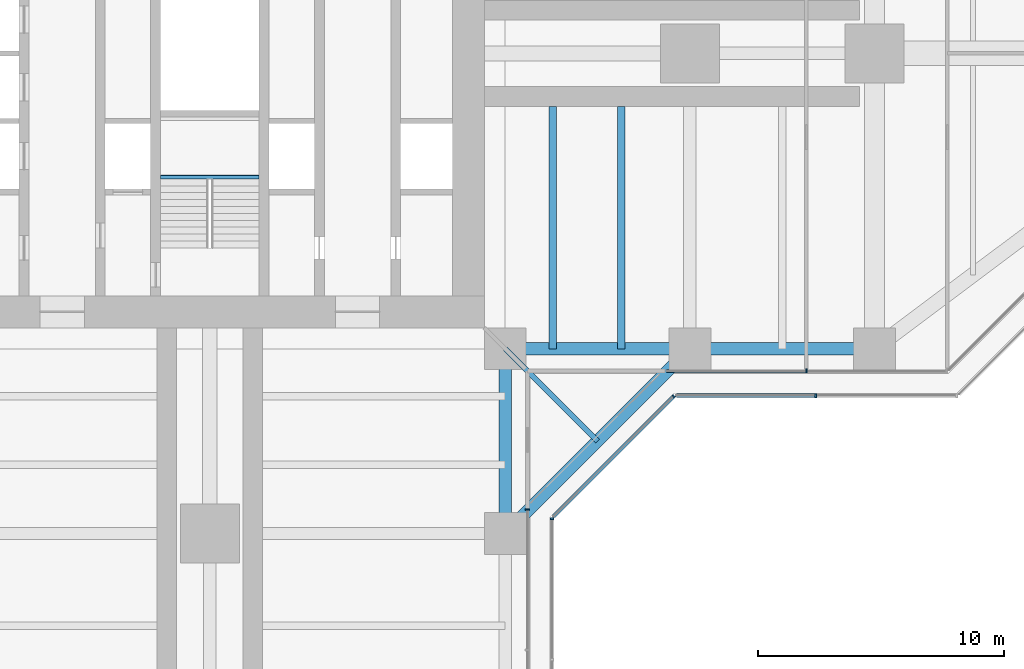
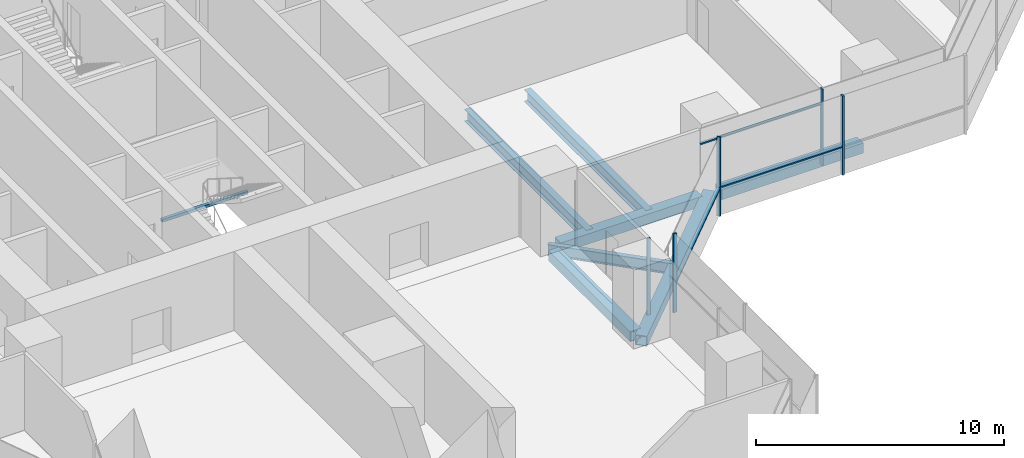
# One storey, part 6 of 22: 8 beams, 8 members, 5 elements without a shape of their own.
"""IFC4 building model written with IfcOpenShell, lengths in metres."""

from ifc_helpers import new_model, si_unit, direction, frame, origin, origin_2d, place, context, subcontext, project, spatial, rectangle, hollow_rectangle, i_section, extrude, material, material_profile, profile_set, type_object, element, aggregate, save


model = new_model("IFC4")

# Units and contexts
model_context = context("Model", 3, precision=1e-05, world=origin(), true_north=direction((0.0, 1.0)))
body_context = subcontext(model_context, "Body", "Model", "MODEL_VIEW")
ifc_project = project(units=[si_unit("LENGTHUNIT", "METRE"), si_unit("AREAUNIT", "SQUARE_METRE"), si_unit("VOLUMEUNIT", "CUBIC_METRE"), si_unit("PLANEANGLEUNIT", "RADIAN"), si_unit("MASSUNIT", "GRAM", prefix="KILO")], contexts=[model_context])

# Site, building, storey
site_placement = place(None, origin())
site = spatial("IfcSite", under=ifc_project, at=site_placement, CompositionType="ELEMENT")
building_placement = place(site_placement, origin())
building = spatial("IfcBuilding", under=site, at=building_placement, Name="Mizan Broadcast Tower", CompositionType="ELEMENT")
storey_placement = place(building_placement, frame((0.0, 0.0, 66.89990234375)))
storey = spatial("IfcBuildingStorey", under=building, at=storey_placement, Name="L13", CompositionType="ELEMENT", Elevation=66.89990234375)

# Beams
ifc_material_1 = material(Name="Steel S355", Category="steel")
ifc_material_profile_1 = material_profile(ifc_material_1, hollow_rectangle(XDim=0.5, YDim=0.5, WallThickness=0.030029296875, at=origin_2d()), Name="BOX 500x500x30")
ifc_profile_set_1 = profile_set([ifc_material_profile_1], Name="Steel S355")
beam_type_1 = type_object("IfcBeamType", Name="EDGE BEAM BOX 500x500x30", PredefinedType="SPANDREL", material=ifc_profile_set_1)
for number, where, z_axis, x_axis, name in (
    (1, (12.449951171875, -12.0, -0.3798828125), (1.0, 0.0, 0.0), (0.0, 1.0, 0.0), "Edge beam BOX 500x500x30 L13 east arm"),
    (2, (19.949951171875, -12.0, -0.3798828125), (1.0, 0.0, 0.0), (0.0, 1.0, 0.0), "Edge beam BOX 500x500x30 L13 east arm"),
    (3, (12.0, -12.449951171875, -0.3798828125), (0.0, -1.0, 0.0), (1.0, 0.0, 0.0), "Edge beam BOX 500x500x30 L13 south arm"),
):
    element("IfcBeam", number, at=place(storey_placement, frame(where, z_axis=z_axis, x_axis=x_axis)), inside=storey, type_object=beam_type_1, Name=name, PredefinedType="SPANDREL", context=body_context, shape_type="SweptSolid", body=[
        extrude(hollow_rectangle(XDim=0.5, YDim=0.5, WallThickness=0.030029296875, at=origin_2d()), origin(), (0.0, 0.0, 1.0), 6.60009765625),
    ])
beam_1_placement = place(storey_placement, frame((12.0, -19.5, -0.3798828125), z_axis=(0.707106781187, 0.707106781187, 0.0), x_axis=(-0.707106781187, 0.707106781187, 0.0)))
element("IfcBeam", 4, at=beam_1_placement, inside=storey, type_object=beam_type_1, Name="Winter garden edge beam L13 S", PredefinedType="SPANDREL", context=body_context, shape_type="SweptSolid", body=[
    extrude(hollow_rectangle(XDim=0.5, YDim=0.5, WallThickness=0.030029296875, at=origin_2d()), origin(), (0.0, 0.0, 1.0), 10.606689453125),
])

# Curtain wall, member
ifc_material_2 = material(Name="Aluminium framed glazing", Category="aluminium")
curtain_wall_type_1 = type_object("IfcCurtainWallType", Name="INNER SKIN LOW ZONE", PredefinedType="USERDEFINED", material=ifc_material_2)
curtain_wall_1_placement = place(storey_placement, origin())
curtain_wall_1 = element("IfcCurtainWall", 5, at=curtain_wall_1_placement, inside=storey, type_object=curtain_wall_type_1, Name="Inner skin low zone L13 E side", ObjectType="INNER SKIN LOW ZONE", PredefinedType="USERDEFINED")
ifc_material_3 = material(Name="Aluminium, pale anodised", Category="aluminium")
ifc_material_profile_2 = material_profile(ifc_material_3, rectangle(XDim=0.159912109375, YDim=0.06005859375, at=origin_2d()), Name="MULLION 160x60")
ifc_profile_set_2 = profile_set([ifc_material_profile_2], Name="Aluminium, pale anodised")
member_type_1 = type_object("IfcMemberType", Name="INNER SKIN MULLION 60x160", PredefinedType="MULLION", material=ifc_profile_set_2)
member_1_placement = place(storey_placement, frame((24.229248046875, -12.89990234375, 0.0), z_axis=(0.0, 0.0, 1.0), x_axis=(0.0, 1.0, 0.0)))
member_1 = element("IfcMember", 6, at=member_1_placement, type_object=member_type_1, Name="Inner skin low zone L13 E side mullion 2", PredefinedType="MULLION", context=body_context, shape_type="SweptSolid", body=[
    extrude(rectangle(XDim=0.159912109375, YDim=0.06005859375, at=origin_2d()), origin(), (0.0, 0.0, 1.0), 3.77001953125),
])

curtain_wall_2_placement = place(storey_placement, origin())
curtain_wall_2 = element("IfcCurtainWall", 7, at=curtain_wall_2_placement, inside=storey, type_object=curtain_wall_type_1, Name="Inner skin low zone L13 S side", ObjectType="INNER SKIN LOW ZONE", PredefinedType="USERDEFINED")
member_2_placement = place(storey_placement, frame((12.89990234375, -18.530029296875, 0.0), z_axis=(0.0, 0.0, 1.0), x_axis=(-1.0, 0.0, 0.0)))
member_2 = element("IfcMember", 8, at=member_2_placement, type_object=member_type_1, Name="Inner skin low zone L13 S side mullion 3", PredefinedType="MULLION", context=body_context, shape_type="SweptSolid", body=[
    extrude(rectangle(XDim=0.159912109375, YDim=0.06005859375, at=origin_2d()), origin(), (0.0, 0.0, 1.0), 3.77001953125),
])
aggregate(curtain_wall_2, [member_2])

# Member
ifc_material_4 = material(Name="Aluminium, pale anodised", Category="aluminium")
ifc_material_profile_3 = material_profile(ifc_material_4, rectangle(XDim=0.1201171875, YDim=0.06005859375, at=origin_2d()), Name="TRANSOM 120x60")
ifc_profile_set_3 = profile_set([ifc_material_profile_3], Name="Aluminium, pale anodised")
member_type_2 = type_object("IfcMemberType", Name="INNER SKIN TRANSOM 60x120", PredefinedType="USERDEFINED", material=ifc_profile_set_3)
member_3_placement = place(storey_placement, frame((18.56005859375, -12.89990234375, 3.030029296875), z_axis=(1.0, 0.0, 0.0), x_axis=(0.0, 1.0, 0.0)))
member_3 = element("IfcMember", 9, at=member_3_placement, type_object=member_type_2, Name="Inner skin low zone L13 E side transom 1.1", ObjectType="TRANSOM", PredefinedType="USERDEFINED", context=body_context, shape_type="SweptSolid", body=[
    extrude(rectangle(XDim=0.1201171875, YDim=0.06005859375, at=origin_2d()), origin(), (0.0, 0.0, 1.0), 5.63916015625),
])

aggregate(curtain_wall_1, [member_1, member_3])

# Beam
ifc_material_5 = material(Name="Steel S355", Category="steel")
ifc_material_profile_4 = material_profile(ifc_material_5, hollow_rectangle(XDim=0.14990234375, YDim=0.14990234375, WallThickness=0.008056640625, InnerFilletRadius=0.008056640625, OuterFilletRadius=0.011962890625, at=origin_2d()), Name="SHS 150x150x8")
ifc_profile_set_4 = profile_set([ifc_material_profile_4], Name="Steel S355")
beam_type_2 = type_object("IfcBeamType", Name="LANDING TRIMMER SHS 150x150x8", PredefinedType="BEAM", material=ifc_profile_set_4)
beam_2_placement = place(storey_placement, frame((-2.0, -5.02490234375, 1.675048828125), z_axis=(1.0, 0.0, 0.0), x_axis=(0.0, 1.0, 0.0)))
element("IfcBeam", 10, at=beam_2_placement, inside=storey, type_object=beam_type_2, Name="Stair A landing trimmer L13", PredefinedType="BEAM", context=body_context, shape_type="SweptSolid", body=[
    extrude(hollow_rectangle(XDim=0.14990234375, YDim=0.14990234375, WallThickness=0.008056640625, InnerFilletRadius=0.008056640625, OuterFilletRadius=0.011962890625, at=origin_2d()), origin(), (0.0, 0.0, 1.0), 4.0),
])

# Curtain wall, member
ifc_material_6 = material(Name="Aluminium framed glazing", Category="aluminium")
curtain_wall_type_2 = type_object("IfcCurtainWallType", Name="OUTER SKIN", PredefinedType="USERDEFINED", material=ifc_material_6)
curtain_wall_3_placement = place(storey_placement, origin())
curtain_wall_3 = element("IfcCurtainWall", 11, at=curtain_wall_3_placement, inside=storey, type_object=curtain_wall_type_2, Name="Outer skin L13 S side", ObjectType="OUTER SKIN", PredefinedType="USERDEFINED")
ifc_material_7 = material(Name="Aluminium, pale anodised", Category="aluminium")
ifc_material_profile_5 = material_profile(ifc_material_7, rectangle(XDim=0.159912109375, YDim=0.080078125, at=origin_2d()), Name="MULLION 160x80")
ifc_profile_set_5 = profile_set([ifc_material_profile_5], Name="Aluminium, pale anodised")
member_type_3 = type_object("IfcMemberType", Name="OUTER SKIN MULLION 80x160", PredefinedType="MULLION", material=ifc_profile_set_5)
member_4_placement = place(storey_placement, frame((13.89990234375, -18.912841796875, 0.0), z_axis=(0.0, 0.0, 1.0), x_axis=(-1.0, 0.0, 0.0)))
member_4 = element("IfcMember", 12, at=member_4_placement, type_object=member_type_3, Name="Outer skin L13 S side mullion 3", PredefinedType="MULLION", context=body_context, shape_type="SweptSolid", body=[
    extrude(rectangle(XDim=0.159912109375, YDim=0.080078125, at=origin_2d()), origin(), (0.0, 0.0, 1.0), 3.900146484375),
])
aggregate(curtain_wall_3, [member_4])

curtain_wall_4_placement = place(storey_placement, origin())
curtain_wall_4 = element("IfcCurtainWall", 13, at=curtain_wall_4_placement, inside=storey, type_object=curtain_wall_type_2, Name="Outer skin L13 E chamfer", ObjectType="OUTER SKIN", PredefinedType="USERDEFINED")
member_5_placement = place(storey_placement, frame((18.844482421875, -13.92822265625, 0.0), z_axis=(0.0, 0.0, 1.0), x_axis=(-0.707106781187, 0.707106781187, 0.0)))
member_5 = element("IfcMember", 14, at=member_5_placement, type_object=member_type_3, Name="Outer skin L13 E chamfer mullion 2", PredefinedType="MULLION", context=body_context, shape_type="SweptSolid", body=[
    extrude(rectangle(XDim=0.159912109375, YDim=0.080078125, at=origin_2d()), origin(), (0.0, 0.0, 1.0), 3.900146484375),
])

curtain_wall_5_placement = place(storey_placement, origin())
curtain_wall_5 = element("IfcCurtainWall", 15, at=curtain_wall_5_placement, inside=storey, type_object=curtain_wall_type_2, Name="Outer skin L13 E side", ObjectType="OUTER SKIN", PredefinedType="USERDEFINED")
member_6_placement = place(storey_placement, frame((24.622802734375, -13.89990234375, 0.0), z_axis=(0.0, 0.0, 1.0), x_axis=(0.0, 1.0, 0.0)))
member_6 = element("IfcMember", 16, at=member_6_placement, type_object=member_type_3, Name="Outer skin L13 E side mullion 2", PredefinedType="MULLION", context=body_context, shape_type="SweptSolid", body=[
    extrude(rectangle(XDim=0.159912109375, YDim=0.080078125, at=origin_2d()), origin(), (0.0, 0.0, 1.0), 3.900146484375),
])

# Member
ifc_material_8 = material(Name="Aluminium, pale anodised", Category="aluminium")
ifc_material_profile_6 = material_profile(ifc_material_8, rectangle(XDim=0.159912109375, YDim=0.06005859375, at=origin_2d()), Name="TRANSOM 160x60")
ifc_profile_set_6 = profile_set([ifc_material_profile_6], Name="Aluminium, pale anodised")
member_type_4 = type_object("IfcMemberType", Name="OUTER SKIN TRANSOM 60x160", PredefinedType="USERDEFINED", material=ifc_profile_set_6)
member_7_placement = place(storey_placement, frame((13.95654296875, -18.816162109375, 1.400146484375), z_axis=(0.707106781187, 0.707106781187, 0.0), x_axis=(-0.707106781187, 0.707106781187, 0.0)))
member_7 = element("IfcMember", 17, at=member_7_placement, type_object=member_type_4, Name="Outer skin L13 E chamfer transom 1.1", ObjectType="TRANSOM", PredefinedType="USERDEFINED", context=body_context, shape_type="SweptSolid", body=[
    extrude(rectangle(XDim=0.159912109375, YDim=0.06005859375, at=origin_2d()), origin(), (0.0, 0.0, 1.0), 6.87255859375),
])

aggregate(curtain_wall_4, [member_5, member_7])

member_8_placement = place(storey_placement, frame((18.952880859375, -13.89990234375, 1.400146484375), z_axis=(1.0, 0.0, 0.0), x_axis=(0.0, 1.0, 0.0)))
member_8 = element("IfcMember", 18, at=member_8_placement, type_object=member_type_4, Name="Outer skin L13 E side transom 1.1", ObjectType="TRANSOM", PredefinedType="USERDEFINED", context=body_context, shape_type="SweptSolid", body=[
    extrude(rectangle(XDim=0.159912109375, YDim=0.06005859375, at=origin_2d()), origin(), (0.0, 0.0, 1.0), 5.6298828125),
])

aggregate(curtain_wall_5, [member_6, member_8])

# Beams
ifc_material_9 = material(Name="Steel S355", Category="steel")
ifc_material_profile_7 = material_profile(ifc_material_9, i_section(OverallWidth=0.300048828125, OverallDepth=0.590087890625, WebThickness=0.012939453125, FlangeThickness=0.02490234375, FilletRadius=0.027099609375, at=origin_2d()), Name="HEA 600")
ifc_profile_set_7 = profile_set([ifc_material_profile_7], Name="Steel S355")
beam_type_3 = type_object("IfcBeamType", Name="SECONDARY BEAM HEA 600", PredefinedType="JOIST", material=ifc_profile_set_7)
for number, where, z_axis, x_axis, name in (
    (19, (13.933349609375, -12.0, -0.4248046875), (0.0, 1.0, 0.0), (-1.0, 0.0, 0.0), "Secondary beam HEA 600 L13 east arm"),
    (20, (16.716552734375, -12.0, -0.4248046875), (0.0, 1.0, 0.0), (-1.0, 0.0, 0.0), "Secondary beam HEA 600 L13 east arm"),
):
    element("IfcBeam", number, at=place(storey_placement, frame(where, z_axis=z_axis, x_axis=x_axis)), inside=storey, type_object=beam_type_3, Name=name, PredefinedType="JOIST", context=body_context, shape_type="SweptSolid", body=[
        extrude(i_section(OverallWidth=0.300048828125, OverallDepth=0.590087890625, WebThickness=0.012939453125, FlangeThickness=0.02490234375, FilletRadius=0.027099609375, at=origin_2d()), origin(), (0.0, 0.0, 1.0), 9.85009765625),
    ])
ifc_material_10 = material(Name="Steel S355", Category="steel")
ifc_material_profile_8 = material_profile(ifc_material_10, i_section(OverallWidth=0.2099609375, OverallDepth=0.550048828125, WebThickness=0.010986328125, FlangeThickness=0.01708984375, FilletRadius=0.02392578125, at=origin_2d()), Name="IPE 550")
ifc_profile_set_8 = profile_set([ifc_material_profile_8], Name="Steel S355")
beam_type_4 = type_object("IfcBeamType", Name="SECONDARY BEAM IPE 550", PredefinedType="JOIST", material=ifc_profile_set_8)
beam_3_placement = place(storey_placement, frame((12.0, -12.0, -0.40478515625), z_axis=(0.707106781187, -0.707106781187, 0.0), x_axis=(0.707106781187, 0.707106781187, 0.0)))
element("IfcBeam", 21, at=beam_3_placement, inside=storey, type_object=beam_type_4, Name="Winter garden beam L13 S", PredefinedType="JOIST", context=body_context, shape_type="SweptSolid", body=[
    extrude(i_section(OverallWidth=0.2099609375, OverallDepth=0.550048828125, WebThickness=0.010986328125, FlangeThickness=0.01708984375, FilletRadius=0.02392578125, at=origin_2d()), origin(), (0.0, 0.0, 1.0), 5.30322265625),
])

save(model, "model.ifc")
